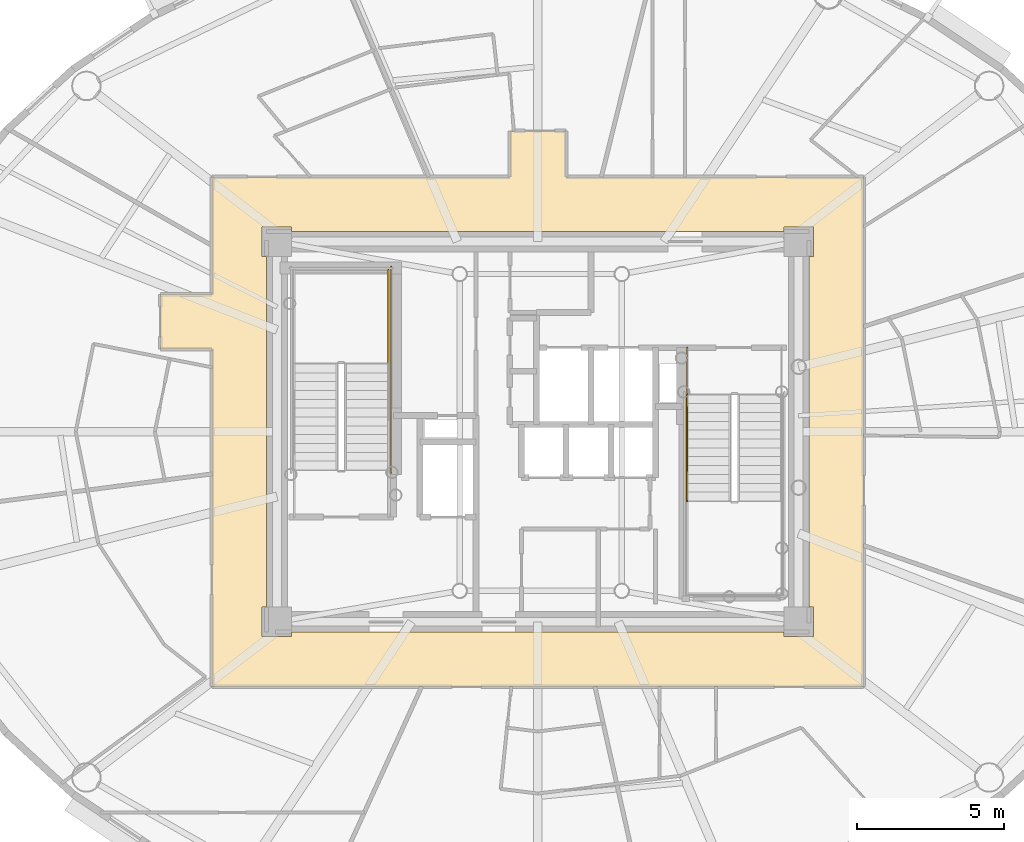
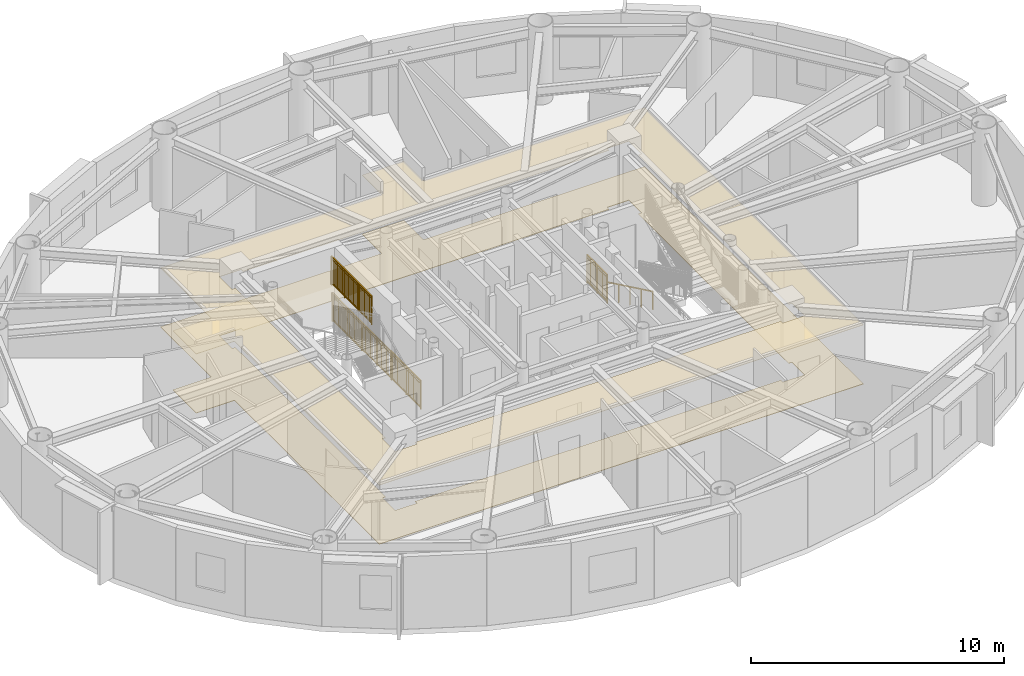
# One storey, part 16 of 18: 4 railings, 2 coverings.
"""IFC4 building model written with IfcOpenShell, lengths in metres."""

from ifc_helpers import new_model, si_unit, direction, frame, origin, origin_2d, place, context, subcontext, project, spatial, polyline, rectangle, outline, extrude, source, transform, mapped, material, layer, layer_set, type_object, element, save


model = new_model("IFC4")

# Units and contexts
model_context = context("Model", 3, precision=1e-05, world=origin(), true_north=direction((0.0, 1.0)))
body_context = subcontext(model_context, "Body", "Model", "MODEL_VIEW")
ifc_project = project(units=[si_unit("LENGTHUNIT", "METRE"), si_unit("AREAUNIT", "SQUARE_METRE"), si_unit("VOLUMEUNIT", "CUBIC_METRE"), si_unit("PLANEANGLEUNIT", "RADIAN"), si_unit("MASSUNIT", "GRAM", prefix="KILO")], contexts=[model_context])

# Site, building, storey
site_placement = place(None, origin())
site = spatial("IfcSite", under=ifc_project, at=site_placement, CompositionType="ELEMENT")
building_placement = place(site_placement, origin())
building = spatial("IfcBuilding", under=site, at=building_placement, Name="Linh Dai School and Residence Tower", CompositionType="ELEMENT")
storey_placement = place(building_placement, frame((0.0, 0.0, 295.5)))
storey = spatial("IfcBuildingStorey", under=building, at=storey_placement, Name="L73", CompositionType="ELEMENT", Elevation=295.5)

# Coverings
ifc_material_1 = material(Name="Mineral Fibre Acoustic Suspended Ceiling", Category="masonry")
ifc_layer_1 = layer(ifc_material_1, 0.02001953125)
ifc_layer_set_1 = layer_set([ifc_layer_1], Name="Mineral Fibre Acoustic Suspended Ceiling")
covering_type_1 = type_object("IfcCoveringType", Name="COV-CEIL-AC-20", PredefinedType="CEILING", material=ifc_layer_set_1)
covering_1_placement = place(storey_placement, frame((0.0, 0.0, 2.85009765625)))
element("IfcCovering", 1, at=covering_1_placement, inside=storey, type_object=covering_type_1, Name="L73 Residential Floor Corridor Suspended Ceiling", PredefinedType="CEILING", context=body_context, shape_type="SweptSolid", body=[
    extrude(outline(polyline([(23.199951171875, 31.64990234375), (24.949951171875, 31.64990234375), (24.949951171875, 35.64990234375), (35.050048828125, 35.64990234375), (35.050048828125, 37.199951171875), (36.949951171875, 37.199951171875), (36.949951171875, 35.64990234375), (47.050048828125, 35.64990234375), (47.050048828125, 18.35009765625), (24.949951171875, 18.35009765625), (24.949951171875, 29.800048828125), (23.199951171875, 29.800048828125), (23.199951171875, 31.64990234375)]), holes=[polyline([(27.64990234375, 33.800048828125), (27.64990234375, 33.949951171875), (26.64990234375, 33.949951171875), (26.64990234375, 32.949951171875), (26.800048828125, 32.949951171875), (26.800048828125, 21.050048828125), (26.64990234375, 21.050048828125), (26.64990234375, 20.050048828125), (27.64990234375, 20.050048828125), (27.64990234375, 20.199951171875), (44.35009765625, 20.199951171875), (44.35009765625, 20.050048828125), (45.35009765625, 20.050048828125), (45.35009765625, 21.050048828125), (45.199951171875, 21.050048828125), (45.199951171875, 32.949951171875), (45.35009765625, 32.949951171875), (45.35009765625, 33.949951171875), (44.35009765625, 33.949951171875), (44.35009765625, 33.800048828125), (27.64990234375, 33.800048828125)])]), origin(), (0.0, 0.0, 1.0), 0.02001953125),
])
ifc_material_2 = material(Name="Polished Terrazzo Floor Finish", Category="masonry")
ifc_layer_2 = layer(ifc_material_2, 0.02490234375)
ifc_layer_set_2 = layer_set([ifc_layer_2], Name="Polished Terrazzo Floor Finish")
covering_type_2 = type_object("IfcCoveringType", Name="COV-FLR-TRZ-25", PredefinedType="FLOORING", material=ifc_layer_set_2)
covering_2_placement = place(storey_placement, origin())
element("IfcCovering", 2, at=covering_2_placement, inside=storey, type_object=covering_type_2, Name="L73 Residential Floor Corridor Floor Finish", PredefinedType="FLOORING", context=body_context, shape_type="SweptSolid", body=[
    extrude(outline(polyline([(23.199951171875, 31.64990234375), (24.949951171875, 31.64990234375), (24.949951171875, 35.64990234375), (35.050048828125, 35.64990234375), (35.050048828125, 37.199951171875), (36.949951171875, 37.199951171875), (36.949951171875, 35.64990234375), (47.050048828125, 35.64990234375), (47.050048828125, 18.35009765625), (24.949951171875, 18.35009765625), (24.949951171875, 29.800048828125), (23.199951171875, 29.800048828125), (23.199951171875, 31.64990234375)]), holes=[polyline([(27.64990234375, 33.800048828125), (27.64990234375, 33.949951171875), (26.64990234375, 33.949951171875), (26.64990234375, 32.949951171875), (26.800048828125, 32.949951171875), (26.800048828125, 21.050048828125), (26.64990234375, 21.050048828125), (26.64990234375, 20.050048828125), (27.64990234375, 20.050048828125), (27.64990234375, 20.199951171875), (44.35009765625, 20.199951171875), (44.35009765625, 20.050048828125), (45.35009765625, 20.050048828125), (45.35009765625, 21.050048828125), (45.199951171875, 21.050048828125), (45.199951171875, 32.949951171875), (45.35009765625, 32.949951171875), (45.35009765625, 33.949951171875), (44.35009765625, 33.949951171875), (44.35009765625, 33.800048828125), (27.64990234375, 33.800048828125)])]), origin(), (0.0, 0.0, 1.0), 0.02001953125),
])

# Railings
ifc_material_3 = material(Name="Structural Steel S355JR", Category="steel")
railing_type_1 = type_object("IfcRailingType", Name="RL-ST-GUARD-1400", PredefinedType="GUARDRAIL", material=ifc_material_3)
shared_shape_1 = source(origin(), body_context, "Body", "SweptSolid", [
    extrude(rectangle(XDim=0.048095703125, YDim=0.048095703125, at=origin_2d()), frame((0.0, 0.0, 1.3759765625), z_axis=(0.0, 1.0, 0.0), x_axis=(-1.0, 0.0, 0.0)), (0.0, 0.0, 1.0), 7.0),
    extrude(rectangle(XDim=0.048095703125, YDim=0.048095703125, at=origin_2d()), frame((0.0, 0.0, 0.10009765625), z_axis=(0.0, 1.0, 0.0), x_axis=(-1.0, 0.0, 0.0)), (0.0, 0.0, 1.0), 7.0),
    extrude(rectangle(XDim=0.030029296875, YDim=0.030029296875, at=origin_2d()), frame((0.0, 0.0, 1.239990234375), z_axis=(0.0, 1.0, 0.0), x_axis=(-1.0, 0.0, 0.0)), (0.0, 0.0, 1.0), 7.0),
    extrude(rectangle(XDim=0.02001953125, YDim=0.02001953125, at=origin_2d()), frame((0.0, 0.09716796875, 0.10009765625)), (0.0, 0.0, 1.0), 1.251708984375),
    extrude(rectangle(XDim=0.02001953125, YDim=0.02001953125, at=origin_2d()), frame((0.0, 0.1943359375, 0.10009765625)), (0.0, 0.0, 1.0), 1.251708984375),
    extrude(rectangle(XDim=0.02001953125, YDim=0.02001953125, at=origin_2d()), frame((0.0, 0.291748046875, 0.10009765625)), (0.0, 0.0, 1.0), 1.251708984375),
    extrude(rectangle(XDim=0.02001953125, YDim=0.02001953125, at=origin_2d()), frame((0.0, 0.388916015625, 0.10009765625)), (0.0, 0.0, 1.0), 1.251708984375),
    extrude(rectangle(XDim=0.02001953125, YDim=0.02001953125, at=origin_2d()), frame((0.0, 0.486083984375, 0.10009765625)), (0.0, 0.0, 1.0), 1.251708984375),
    extrude(rectangle(XDim=0.02001953125, YDim=0.02001953125, at=origin_2d()), frame((0.0, 0.583251953125, 0.10009765625)), (0.0, 0.0, 1.0), 1.251708984375),
    extrude(rectangle(XDim=0.02001953125, YDim=0.02001953125, at=origin_2d()), frame((0.0, 0.6806640625, 0.10009765625)), (0.0, 0.0, 1.0), 1.251708984375),
    extrude(rectangle(XDim=0.02001953125, YDim=0.02001953125, at=origin_2d()), frame((0.0, 0.77783203125, 0.10009765625)), (0.0, 0.0, 1.0), 1.251708984375),
    extrude(rectangle(XDim=0.02001953125, YDim=0.02001953125, at=origin_2d()), frame((0.0, 0.875, 0.10009765625)), (0.0, 0.0, 1.0), 1.251708984375),
    extrude(rectangle(XDim=0.02001953125, YDim=0.02001953125, at=origin_2d()), frame((0.0, 0.97216796875, 0.10009765625)), (0.0, 0.0, 1.0), 1.251708984375),
    extrude(rectangle(XDim=0.02001953125, YDim=0.02001953125, at=origin_2d()), frame((0.0, 1.0693359375, 0.10009765625)), (0.0, 0.0, 1.0), 1.251708984375),
    extrude(rectangle(XDim=0.02001953125, YDim=0.02001953125, at=origin_2d()), frame((0.0, 1.263916015625, 0.10009765625)), (0.0, 0.0, 1.0), 1.251708984375),
    extrude(rectangle(XDim=0.02001953125, YDim=0.02001953125, at=origin_2d()), frame((0.0, 1.361083984375, 0.10009765625)), (0.0, 0.0, 1.0), 1.251708984375),
    extrude(rectangle(XDim=0.02001953125, YDim=0.02001953125, at=origin_2d()), frame((0.0, 1.458251953125, 0.10009765625)), (0.0, 0.0, 1.0), 1.251708984375),
    extrude(rectangle(XDim=0.02001953125, YDim=0.02001953125, at=origin_2d()), frame((0.0, 1.5556640625, 0.10009765625)), (0.0, 0.0, 1.0), 1.251708984375),
    extrude(rectangle(XDim=0.02001953125, YDim=0.02001953125, at=origin_2d()), frame((0.0, 1.65283203125, 0.10009765625)), (0.0, 0.0, 1.0), 1.251708984375),
    extrude(rectangle(XDim=0.02001953125, YDim=0.02001953125, at=origin_2d()), frame((0.0, 1.75, 0.10009765625)), (0.0, 0.0, 1.0), 1.251708984375),
    extrude(rectangle(XDim=0.02001953125, YDim=0.02001953125, at=origin_2d()), frame((0.0, 1.84716796875, 0.10009765625)), (0.0, 0.0, 1.0), 1.251708984375),
    extrude(rectangle(XDim=0.02001953125, YDim=0.02001953125, at=origin_2d()), frame((0.0, 1.9443359375, 0.10009765625)), (0.0, 0.0, 1.0), 1.251708984375),
    extrude(rectangle(XDim=0.02001953125, YDim=0.02001953125, at=origin_2d()), frame((0.0, 2.041748046875, 0.10009765625)), (0.0, 0.0, 1.0), 1.251708984375),
    extrude(rectangle(XDim=0.02001953125, YDim=0.02001953125, at=origin_2d()), frame((0.0, 2.138916015625, 0.10009765625)), (0.0, 0.0, 1.0), 1.251708984375),
    extrude(rectangle(XDim=0.02001953125, YDim=0.02001953125, at=origin_2d()), frame((0.0, 2.236083984375, 0.10009765625)), (0.0, 0.0, 1.0), 1.251708984375),
    extrude(rectangle(XDim=0.02001953125, YDim=0.02001953125, at=origin_2d()), frame((0.0, 2.4306640625, 0.10009765625)), (0.0, 0.0, 1.0), 1.251708984375),
    extrude(rectangle(XDim=0.02001953125, YDim=0.02001953125, at=origin_2d()), frame((0.0, 2.52783203125, 0.10009765625)), (0.0, 0.0, 1.0), 1.251708984375),
    extrude(rectangle(XDim=0.02001953125, YDim=0.02001953125, at=origin_2d()), frame((0.0, 2.625, 0.10009765625)), (0.0, 0.0, 1.0), 1.251708984375),
    extrude(rectangle(XDim=0.02001953125, YDim=0.02001953125, at=origin_2d()), frame((0.0, 2.72216796875, 0.10009765625)), (0.0, 0.0, 1.0), 1.251708984375),
    extrude(rectangle(XDim=0.02001953125, YDim=0.02001953125, at=origin_2d()), frame((0.0, 2.8193359375, 0.10009765625)), (0.0, 0.0, 1.0), 1.251708984375),
    extrude(rectangle(XDim=0.02001953125, YDim=0.02001953125, at=origin_2d()), frame((0.0, 2.916748046875, 0.10009765625)), (0.0, 0.0, 1.0), 1.251708984375),
    extrude(rectangle(XDim=0.02001953125, YDim=0.02001953125, at=origin_2d()), frame((0.0, 3.013916015625, 0.10009765625)), (0.0, 0.0, 1.0), 1.251708984375),
    extrude(rectangle(XDim=0.02001953125, YDim=0.02001953125, at=origin_2d()), frame((0.0, 3.111083984375, 0.10009765625)), (0.0, 0.0, 1.0), 1.251708984375),
    extrude(rectangle(XDim=0.02001953125, YDim=0.02001953125, at=origin_2d()), frame((0.0, 3.208251953125, 0.10009765625)), (0.0, 0.0, 1.0), 1.251708984375),
    extrude(rectangle(XDim=0.02001953125, YDim=0.02001953125, at=origin_2d()), frame((0.0, 3.3056640625, 0.10009765625)), (0.0, 0.0, 1.0), 1.251708984375),
    extrude(rectangle(XDim=0.02001953125, YDim=0.02001953125, at=origin_2d()), frame((0.0, 3.40283203125, 0.10009765625)), (0.0, 0.0, 1.0), 1.251708984375),
    extrude(rectangle(XDim=0.02001953125, YDim=0.02001953125, at=origin_2d()), frame((0.0, 3.59716796875, 0.10009765625)), (0.0, 0.0, 1.0), 1.251708984375),
    extrude(rectangle(XDim=0.02001953125, YDim=0.02001953125, at=origin_2d()), frame((0.0, 3.6943359375, 0.10009765625)), (0.0, 0.0, 1.0), 1.251708984375),
    extrude(rectangle(XDim=0.02001953125, YDim=0.02001953125, at=origin_2d()), frame((0.0, 3.791748046875, 0.10009765625)), (0.0, 0.0, 1.0), 1.251708984375),
    extrude(rectangle(XDim=0.02001953125, YDim=0.02001953125, at=origin_2d()), frame((0.0, 3.888916015625, 0.10009765625)), (0.0, 0.0, 1.0), 1.251708984375),
    extrude(rectangle(XDim=0.02001953125, YDim=0.02001953125, at=origin_2d()), frame((0.0, 3.986083984375, 0.10009765625)), (0.0, 0.0, 1.0), 1.251708984375),
    extrude(rectangle(XDim=0.02001953125, YDim=0.02001953125, at=origin_2d()), frame((0.0, 4.083251953125, 0.10009765625)), (0.0, 0.0, 1.0), 1.251708984375),
    extrude(rectangle(XDim=0.02001953125, YDim=0.02001953125, at=origin_2d()), frame((0.0, 4.1806640625, 0.10009765625)), (0.0, 0.0, 1.0), 1.251708984375),
    extrude(rectangle(XDim=0.02001953125, YDim=0.02001953125, at=origin_2d()), frame((0.0, 4.27783203125, 0.10009765625)), (0.0, 0.0, 1.0), 1.251708984375),
    extrude(rectangle(XDim=0.02001953125, YDim=0.02001953125, at=origin_2d()), frame((0.0, 4.375, 0.10009765625)), (0.0, 0.0, 1.0), 1.251708984375),
    extrude(rectangle(XDim=0.02001953125, YDim=0.02001953125, at=origin_2d()), frame((0.0, 4.47216796875, 0.10009765625)), (0.0, 0.0, 1.0), 1.251708984375),
    extrude(rectangle(XDim=0.02001953125, YDim=0.02001953125, at=origin_2d()), frame((0.0, 4.5693359375, 0.10009765625)), (0.0, 0.0, 1.0), 1.251708984375),
    extrude(rectangle(XDim=0.02001953125, YDim=0.02001953125, at=origin_2d()), frame((0.0, 4.763916015625, 0.10009765625)), (0.0, 0.0, 1.0), 1.251708984375),
    extrude(rectangle(XDim=0.02001953125, YDim=0.02001953125, at=origin_2d()), frame((0.0, 4.861083984375, 0.10009765625)), (0.0, 0.0, 1.0), 1.251708984375),
    extrude(rectangle(XDim=0.02001953125, YDim=0.02001953125, at=origin_2d()), frame((0.0, 4.958251953125, 0.10009765625)), (0.0, 0.0, 1.0), 1.251708984375),
    extrude(rectangle(XDim=0.02001953125, YDim=0.02001953125, at=origin_2d()), frame((0.0, 5.0556640625, 0.10009765625)), (0.0, 0.0, 1.0), 1.251708984375),
    extrude(rectangle(XDim=0.02001953125, YDim=0.02001953125, at=origin_2d()), frame((0.0, 5.15283203125, 0.10009765625)), (0.0, 0.0, 1.0), 1.251708984375),
    extrude(rectangle(XDim=0.02001953125, YDim=0.02001953125, at=origin_2d()), frame((0.0, 5.25, 0.10009765625)), (0.0, 0.0, 1.0), 1.251708984375),
    extrude(rectangle(XDim=0.02001953125, YDim=0.02001953125, at=origin_2d()), frame((0.0, 5.34716796875, 0.10009765625)), (0.0, 0.0, 1.0), 1.251708984375),
    extrude(rectangle(XDim=0.02001953125, YDim=0.02001953125, at=origin_2d()), frame((0.0, 5.4443359375, 0.10009765625)), (0.0, 0.0, 1.0), 1.251708984375),
    extrude(rectangle(XDim=0.02001953125, YDim=0.02001953125, at=origin_2d()), frame((0.0, 5.541748046875, 0.10009765625)), (0.0, 0.0, 1.0), 1.251708984375),
    extrude(rectangle(XDim=0.02001953125, YDim=0.02001953125, at=origin_2d()), frame((0.0, 5.638916015625, 0.10009765625)), (0.0, 0.0, 1.0), 1.251708984375),
    extrude(rectangle(XDim=0.02001953125, YDim=0.02001953125, at=origin_2d()), frame((0.0, 5.736083984375, 0.10009765625)), (0.0, 0.0, 1.0), 1.251708984375),
    extrude(rectangle(XDim=0.02001953125, YDim=0.02001953125, at=origin_2d()), frame((0.0, 5.9306640625, 0.10009765625)), (0.0, 0.0, 1.0), 1.251708984375),
    extrude(rectangle(XDim=0.02001953125, YDim=0.02001953125, at=origin_2d()), frame((0.0, 6.02783203125, 0.10009765625)), (0.0, 0.0, 1.0), 1.251708984375),
    extrude(rectangle(XDim=0.02001953125, YDim=0.02001953125, at=origin_2d()), frame((0.0, 6.125, 0.10009765625)), (0.0, 0.0, 1.0), 1.251708984375),
    extrude(rectangle(XDim=0.02001953125, YDim=0.02001953125, at=origin_2d()), frame((0.0, 6.22216796875, 0.10009765625)), (0.0, 0.0, 1.0), 1.251708984375),
    extrude(rectangle(XDim=0.02001953125, YDim=0.02001953125, at=origin_2d()), frame((0.0, 6.3193359375, 0.10009765625)), (0.0, 0.0, 1.0), 1.251708984375),
    extrude(rectangle(XDim=0.02001953125, YDim=0.02001953125, at=origin_2d()), frame((0.0, 6.416748046875, 0.10009765625)), (0.0, 0.0, 1.0), 1.251708984375),
    extrude(rectangle(XDim=0.02001953125, YDim=0.02001953125, at=origin_2d()), frame((0.0, 6.513916015625, 0.10009765625)), (0.0, 0.0, 1.0), 1.251708984375),
    extrude(rectangle(XDim=0.02001953125, YDim=0.02001953125, at=origin_2d()), frame((0.0, 6.611083984375, 0.10009765625)), (0.0, 0.0, 1.0), 1.251708984375),
    extrude(rectangle(XDim=0.02001953125, YDim=0.02001953125, at=origin_2d()), frame((0.0, 6.708251953125, 0.10009765625)), (0.0, 0.0, 1.0), 1.251708984375),
    extrude(rectangle(XDim=0.02001953125, YDim=0.02001953125, at=origin_2d()), frame((0.0, 6.8056640625, 0.10009765625)), (0.0, 0.0, 1.0), 1.251708984375),
    extrude(rectangle(XDim=0.02001953125, YDim=0.02001953125, at=origin_2d()), frame((0.0, 6.90283203125, 0.10009765625)), (0.0, 0.0, 1.0), 1.251708984375),
    extrude(rectangle(XDim=0.0419921875, YDim=0.0419921875, at=origin_2d()), origin(), (0.0, 0.0, 1.0), 1.3759765625),
    extrude(rectangle(XDim=0.0419921875, YDim=0.0419921875, at=origin_2d()), frame((0.0, 1.166748046875, 0.0)), (0.0, 0.0, 1.0), 1.3759765625),
    extrude(rectangle(XDim=0.0419921875, YDim=0.0419921875, at=origin_2d()), frame((0.0, 2.333251953125, 0.0)), (0.0, 0.0, 1.0), 1.3759765625),
    extrude(rectangle(XDim=0.0419921875, YDim=0.0419921875, at=origin_2d()), frame((0.0, 3.5, 0.0)), (0.0, 0.0, 1.0), 1.3759765625),
    extrude(rectangle(XDim=0.0419921875, YDim=0.0419921875, at=origin_2d()), frame((0.0, 4.666748046875, 0.0)), (0.0, 0.0, 1.0), 1.3759765625),
    extrude(rectangle(XDim=0.0419921875, YDim=0.0419921875, at=origin_2d()), frame((0.0, 5.833251953125, 0.0)), (0.0, 0.0, 1.0), 1.3759765625),
    extrude(rectangle(XDim=0.0419921875, YDim=0.0419921875, at=origin_2d()), frame((0.0, 7.0, 0.0)), (0.0, 0.0, 1.0), 1.3759765625),
])
railing_1_placement = place(storey_placement, frame((31.030029296875, 25.60009765625, 0.0)))
element("IfcRailing", 3, at=railing_1_placement, inside=storey, type_object=railing_type_1, Name="L73 ST1 stair guard 10", PredefinedType="GUARDRAIL", context=body_context, shape_type="MappedRepresentation", body=[
    mapped(shared_shape_1, transform((0.0, 0.0, 0.0), x_axis=(1.0, 0.0, 0.0), y_axis=(0.0, 1.0, 0.0), z_axis=(0.0, 0.0, 1.0), scale=1.0)),
])
shared_shape_2 = source(origin(), body_context, "Body", "SweptSolid", [
    extrude(rectangle(XDim=0.048095703125, YDim=0.048095703125, at=origin_2d()), frame((0.0, 0.0, 1.3759765625), z_axis=(0.0, 1.0, 0.0), x_axis=(-1.0, 0.0, 0.0)), (0.0, 0.0, 1.0), 3.199951171875),
    extrude(rectangle(XDim=0.048095703125, YDim=0.048095703125, at=origin_2d()), frame((0.0, 0.0, 0.10009765625), z_axis=(0.0, 1.0, 0.0), x_axis=(-1.0, 0.0, 0.0)), (0.0, 0.0, 1.0), 3.199951171875),
    extrude(rectangle(XDim=0.030029296875, YDim=0.030029296875, at=origin_2d()), frame((0.0, 0.0, 1.239990234375), z_axis=(0.0, 1.0, 0.0), x_axis=(-1.0, 0.0, 0.0)), (0.0, 0.0, 1.0), 3.199951171875),
    extrude(rectangle(XDim=0.02001953125, YDim=0.02001953125, at=origin_2d()), frame((0.0, 0.096923828125, 0.10009765625)), (0.0, 0.0, 1.0), 1.251708984375),
    extrude(rectangle(XDim=0.02001953125, YDim=0.02001953125, at=origin_2d()), frame((0.0, 0.19384765625, 0.10009765625)), (0.0, 0.0, 1.0), 1.251708984375),
    extrude(rectangle(XDim=0.02001953125, YDim=0.02001953125, at=origin_2d()), frame((0.0, 0.291015625, 0.10009765625)), (0.0, 0.0, 1.0), 1.251708984375),
    extrude(rectangle(XDim=0.02001953125, YDim=0.02001953125, at=origin_2d()), frame((0.0, 0.387939453125, 0.10009765625)), (0.0, 0.0, 1.0), 1.251708984375),
    extrude(rectangle(XDim=0.02001953125, YDim=0.02001953125, at=origin_2d()), frame((0.0, 0.48486328125, 0.10009765625)), (0.0, 0.0, 1.0), 1.251708984375),
    extrude(rectangle(XDim=0.02001953125, YDim=0.02001953125, at=origin_2d()), frame((0.0, 0.581787109375, 0.10009765625)), (0.0, 0.0, 1.0), 1.251708984375),
    extrude(rectangle(XDim=0.02001953125, YDim=0.02001953125, at=origin_2d()), frame((0.0, 0.6787109375, 0.10009765625)), (0.0, 0.0, 1.0), 1.251708984375),
    extrude(rectangle(XDim=0.02001953125, YDim=0.02001953125, at=origin_2d()), frame((0.0, 0.775634765625, 0.10009765625)), (0.0, 0.0, 1.0), 1.251708984375),
    extrude(rectangle(XDim=0.02001953125, YDim=0.02001953125, at=origin_2d()), frame((0.0, 0.872802734375, 0.10009765625)), (0.0, 0.0, 1.0), 1.251708984375),
    extrude(rectangle(XDim=0.02001953125, YDim=0.02001953125, at=origin_2d()), frame((0.0, 0.9697265625, 0.10009765625)), (0.0, 0.0, 1.0), 1.251708984375),
    extrude(rectangle(XDim=0.02001953125, YDim=0.02001953125, at=origin_2d()), frame((0.0, 1.16357421875, 0.10009765625)), (0.0, 0.0, 1.0), 1.251708984375),
    extrude(rectangle(XDim=0.02001953125, YDim=0.02001953125, at=origin_2d()), frame((0.0, 1.260498046875, 0.10009765625)), (0.0, 0.0, 1.0), 1.251708984375),
    extrude(rectangle(XDim=0.02001953125, YDim=0.02001953125, at=origin_2d()), frame((0.0, 1.357666015625, 0.10009765625)), (0.0, 0.0, 1.0), 1.251708984375),
    extrude(rectangle(XDim=0.02001953125, YDim=0.02001953125, at=origin_2d()), frame((0.0, 1.45458984375, 0.10009765625)), (0.0, 0.0, 1.0), 1.251708984375),
    extrude(rectangle(XDim=0.02001953125, YDim=0.02001953125, at=origin_2d()), frame((0.0, 1.551513671875, 0.10009765625)), (0.0, 0.0, 1.0), 1.251708984375),
    extrude(rectangle(XDim=0.02001953125, YDim=0.02001953125, at=origin_2d()), frame((0.0, 1.6484375, 0.10009765625)), (0.0, 0.0, 1.0), 1.251708984375),
    extrude(rectangle(XDim=0.02001953125, YDim=0.02001953125, at=origin_2d()), frame((0.0, 1.745361328125, 0.10009765625)), (0.0, 0.0, 1.0), 1.251708984375),
    extrude(rectangle(XDim=0.02001953125, YDim=0.02001953125, at=origin_2d()), frame((0.0, 1.84228515625, 0.10009765625)), (0.0, 0.0, 1.0), 1.251708984375),
    extrude(rectangle(XDim=0.02001953125, YDim=0.02001953125, at=origin_2d()), frame((0.0, 1.939453125, 0.10009765625)), (0.0, 0.0, 1.0), 1.251708984375),
    extrude(rectangle(XDim=0.02001953125, YDim=0.02001953125, at=origin_2d()), frame((0.0, 2.036376953125, 0.10009765625)), (0.0, 0.0, 1.0), 1.251708984375),
    extrude(rectangle(XDim=0.02001953125, YDim=0.02001953125, at=origin_2d()), frame((0.0, 2.230224609375, 0.10009765625)), (0.0, 0.0, 1.0), 1.251708984375),
    extrude(rectangle(XDim=0.02001953125, YDim=0.02001953125, at=origin_2d()), frame((0.0, 2.3271484375, 0.10009765625)), (0.0, 0.0, 1.0), 1.251708984375),
    extrude(rectangle(XDim=0.02001953125, YDim=0.02001953125, at=origin_2d()), frame((0.0, 2.42431640625, 0.10009765625)), (0.0, 0.0, 1.0), 1.251708984375),
    extrude(rectangle(XDim=0.02001953125, YDim=0.02001953125, at=origin_2d()), frame((0.0, 2.521240234375, 0.10009765625)), (0.0, 0.0, 1.0), 1.251708984375),
    extrude(rectangle(XDim=0.02001953125, YDim=0.02001953125, at=origin_2d()), frame((0.0, 2.6181640625, 0.10009765625)), (0.0, 0.0, 1.0), 1.251708984375),
    extrude(rectangle(XDim=0.02001953125, YDim=0.02001953125, at=origin_2d()), frame((0.0, 2.715087890625, 0.10009765625)), (0.0, 0.0, 1.0), 1.251708984375),
    extrude(rectangle(XDim=0.02001953125, YDim=0.02001953125, at=origin_2d()), frame((0.0, 2.81201171875, 0.10009765625)), (0.0, 0.0, 1.0), 1.251708984375),
    extrude(rectangle(XDim=0.02001953125, YDim=0.02001953125, at=origin_2d()), frame((0.0, 2.908935546875, 0.10009765625)), (0.0, 0.0, 1.0), 1.251708984375),
    extrude(rectangle(XDim=0.02001953125, YDim=0.02001953125, at=origin_2d()), frame((0.0, 3.006103515625, 0.10009765625)), (0.0, 0.0, 1.0), 1.251708984375),
    extrude(rectangle(XDim=0.02001953125, YDim=0.02001953125, at=origin_2d()), frame((0.0, 3.10302734375, 0.10009765625)), (0.0, 0.0, 1.0), 1.251708984375),
    extrude(rectangle(XDim=0.0419921875, YDim=0.0419921875, at=origin_2d()), origin(), (0.0, 0.0, 1.0), 1.3759765625),
    extrude(rectangle(XDim=0.0419921875, YDim=0.0419921875, at=origin_2d()), frame((0.0, 1.066650390625, 0.0)), (0.0, 0.0, 1.0), 1.3759765625),
    extrude(rectangle(XDim=0.0419921875, YDim=0.0419921875, at=origin_2d()), frame((0.0, 2.13330078125, 0.0)), (0.0, 0.0, 1.0), 1.3759765625),
    extrude(rectangle(XDim=0.0419921875, YDim=0.0419921875, at=origin_2d()), frame((0.0, 3.199951171875, 0.0)), (0.0, 0.0, 1.0), 1.3759765625),
])
railing_2_placement = place(storey_placement, frame((30.929931640625, 29.300048828125, 1.875)))
element("IfcRailing", 4, at=railing_2_placement, inside=storey, type_object=railing_type_1, Name="L73 ST1 stair guard 3", PredefinedType="GUARDRAIL", context=body_context, shape_type="MappedRepresentation", body=[
    mapped(shared_shape_2, transform((0.0, 0.0, 0.0), x_axis=(1.0, 0.0, 0.0), y_axis=(0.0, 1.0, 0.0), z_axis=(0.0, 0.0, 1.0), scale=1.0)),
])
ifc_material_4 = material(Name="Brushed Stainless Steel Handrail", Category="steel")
railing_type_2 = type_object("IfcRailingType", Name="RL-ST-HANDRAIL-900", PredefinedType="HANDRAIL", material=ifc_material_4)
shared_shape_3 = source(origin(), body_context, "Body", "SweptSolid", [
    extrude(rectangle(XDim=0.048095703125, YDim=0.048095703125, at=origin_2d()), frame((0.0, 0.0, 0.8759765625), z_axis=(0.0, -0.901262522062, 0.433273431364), x_axis=(1.0, 0.0, 0.0)), (0.0, 0.0, 1.0), 3.994384765625),
    extrude(rectangle(XDim=0.0419921875, YDim=0.0419921875, at=origin_2d()), origin(), (0.0, 0.0, 1.0), 0.8759765625),
    extrude(rectangle(XDim=0.0419921875, YDim=0.0419921875, at=origin_2d()), frame((0.0, -0.89990234375, 0.4326171875)), (0.0, 0.0, 1.0), 0.8759765625),
    extrude(rectangle(XDim=0.0419921875, YDim=0.0419921875, at=origin_2d()), frame((0.0, -1.800048828125, 0.865234375)), (0.0, 0.0, 1.0), 0.8759765625),
    extrude(rectangle(XDim=0.0419921875, YDim=0.0419921875, at=origin_2d()), frame((0.0, -2.7001953125, 1.298095703125)), (0.0, 0.0, 1.0), 0.8759765625),
    extrude(rectangle(XDim=0.0419921875, YDim=0.0419921875, at=origin_2d()), frame((0.0, -3.60009765625, 1.730712890625)), (0.0, 0.0, 1.0), 0.8759765625),
])
railing_3_placement = place(storey_placement, frame((41.070068359375, 28.25, 0.144287109375)))
element("IfcRailing", 5, at=railing_3_placement, inside=storey, type_object=railing_type_2, Name="L73 ST2 stair handrail 1", PredefinedType="HANDRAIL", context=body_context, shape_type="MappedRepresentation", body=[
    mapped(shared_shape_3, transform((0.0, 0.0, 0.0), x_axis=(1.0, 0.0, 0.0), y_axis=(0.0, 1.0, 0.0), z_axis=(0.0, 0.0, 1.0), scale=1.0)),
])
shared_shape_4 = source(origin(), body_context, "Body", "SweptSolid", [
    extrude(rectangle(XDim=0.048095703125, YDim=0.048095703125, at=origin_2d()), frame((0.0, 0.0, 1.3759765625), z_axis=(0.0, -1.0, 0.0), x_axis=(1.0, 0.0, 0.0)), (0.0, 0.0, 1.0), 1.60009765625),
    extrude(rectangle(XDim=0.048095703125, YDim=0.048095703125, at=origin_2d()), frame((0.0, 0.0, 0.10009765625), z_axis=(0.0, -1.0, 0.0), x_axis=(1.0, 0.0, 0.0)), (0.0, 0.0, 1.0), 1.60009765625),
    extrude(rectangle(XDim=0.030029296875, YDim=0.030029296875, at=origin_2d()), frame((0.0, 0.0, 1.239990234375), z_axis=(0.0, -1.0, 0.0), x_axis=(1.0, 0.0, 0.0)), (0.0, 0.0, 1.0), 1.60009765625),
    extrude(rectangle(XDim=0.02001953125, YDim=0.02001953125, at=origin_2d()), frame((0.0, -0.09423828125, 0.10009765625)), (0.0, 0.0, 1.0), 1.251708984375),
    extrude(rectangle(XDim=0.02001953125, YDim=0.02001953125, at=origin_2d()), frame((0.0, -0.188232421875, 0.10009765625)), (0.0, 0.0, 1.0), 1.251708984375),
    extrude(rectangle(XDim=0.02001953125, YDim=0.02001953125, at=origin_2d()), frame((0.0, -0.282470703125, 0.10009765625)), (0.0, 0.0, 1.0), 1.251708984375),
    extrude(rectangle(XDim=0.02001953125, YDim=0.02001953125, at=origin_2d()), frame((0.0, -0.37646484375, 0.10009765625)), (0.0, 0.0, 1.0), 1.251708984375),
    extrude(rectangle(XDim=0.02001953125, YDim=0.02001953125, at=origin_2d()), frame((0.0, -0.470703125, 0.10009765625)), (0.0, 0.0, 1.0), 1.251708984375),
    extrude(rectangle(XDim=0.02001953125, YDim=0.02001953125, at=origin_2d()), frame((0.0, -0.564697265625, 0.10009765625)), (0.0, 0.0, 1.0), 1.251708984375),
    extrude(rectangle(XDim=0.02001953125, YDim=0.02001953125, at=origin_2d()), frame((0.0, -0.658935546875, 0.10009765625)), (0.0, 0.0, 1.0), 1.251708984375),
    extrude(rectangle(XDim=0.02001953125, YDim=0.02001953125, at=origin_2d()), frame((0.0, -0.7529296875, 0.10009765625)), (0.0, 0.0, 1.0), 1.251708984375),
    extrude(rectangle(XDim=0.02001953125, YDim=0.02001953125, at=origin_2d()), frame((0.0, -0.84716796875, 0.10009765625)), (0.0, 0.0, 1.0), 1.251708984375),
    extrude(rectangle(XDim=0.02001953125, YDim=0.02001953125, at=origin_2d()), frame((0.0, -0.941162109375, 0.10009765625)), (0.0, 0.0, 1.0), 1.251708984375),
    extrude(rectangle(XDim=0.02001953125, YDim=0.02001953125, at=origin_2d()), frame((0.0, -1.035400390625, 0.10009765625)), (0.0, 0.0, 1.0), 1.251708984375),
    extrude(rectangle(XDim=0.02001953125, YDim=0.02001953125, at=origin_2d()), frame((0.0, -1.12939453125, 0.10009765625)), (0.0, 0.0, 1.0), 1.251708984375),
    extrude(rectangle(XDim=0.02001953125, YDim=0.02001953125, at=origin_2d()), frame((0.0, -1.2236328125, 0.10009765625)), (0.0, 0.0, 1.0), 1.251708984375),
    extrude(rectangle(XDim=0.02001953125, YDim=0.02001953125, at=origin_2d()), frame((0.0, -1.317626953125, 0.10009765625)), (0.0, 0.0, 1.0), 1.251708984375),
    extrude(rectangle(XDim=0.02001953125, YDim=0.02001953125, at=origin_2d()), frame((0.0, -1.411865234375, 0.10009765625)), (0.0, 0.0, 1.0), 1.251708984375),
    extrude(rectangle(XDim=0.02001953125, YDim=0.02001953125, at=origin_2d()), frame((0.0, -1.505859375, 0.10009765625)), (0.0, 0.0, 1.0), 1.251708984375),
    extrude(rectangle(XDim=0.0419921875, YDim=0.0419921875, at=origin_2d()), origin(), (0.0, 0.0, 1.0), 1.3759765625),
    extrude(rectangle(XDim=0.0419921875, YDim=0.0419921875, at=origin_2d()), frame((0.0, -0.800048828125, 0.0)), (0.0, 0.0, 1.0), 1.3759765625),
    extrude(rectangle(XDim=0.0419921875, YDim=0.0419921875, at=origin_2d()), frame((0.0, -1.60009765625, 0.0)), (0.0, 0.0, 1.0), 1.3759765625),
])
railing_4_placement = place(storey_placement, frame((41.070068359375, 29.85009765625, 0.0)))
element("IfcRailing", 6, at=railing_4_placement, inside=storey, type_object=railing_type_1, Name="L73 ST2 stair guard 8", PredefinedType="GUARDRAIL", context=body_context, shape_type="MappedRepresentation", body=[
    mapped(shared_shape_4, transform((0.0, 0.0, 0.0), x_axis=(1.0, 0.0, 0.0), y_axis=(0.0, 1.0, 0.0), z_axis=(0.0, 0.0, 1.0), scale=1.0)),
])

save(model, "model.ifc")
